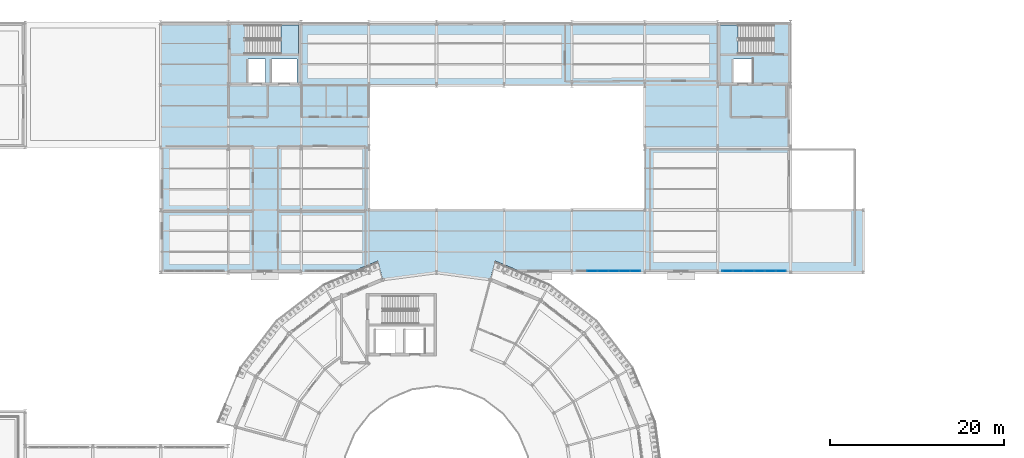
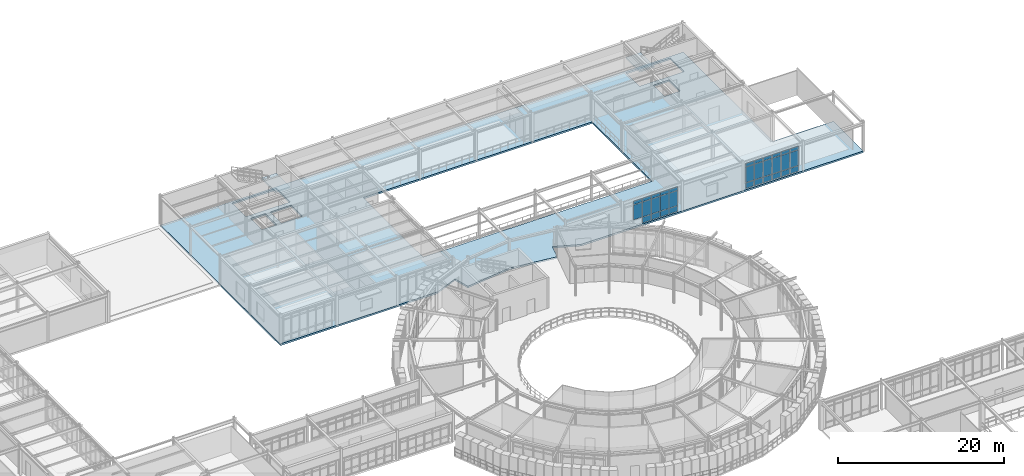
# One storey, part 75 of 106: 32 plates, 3 slabs, 4 elements without a shape of their own.
"""IFC4 building model written with IfcOpenShell, lengths in metres."""

from ifc_helpers import new_model, si_unit, derived_unit, direction, frame, origin, origin_2d, place, context, subcontext, project, spatial, polyline, rectangle, outline, extrude, material, layer, layer_set, type_object, element, aggregate, save


model = new_model("IFC4")

# Units and contexts
model_context = context("Model", 3, precision=1e-05, world=origin(), true_north=direction((0.0, 1.0)))
body_context = subcontext(model_context, "Body", "Model", "MODEL_VIEW")
ifc_project = project(units=[si_unit("LENGTHUNIT", "METRE"), si_unit("AREAUNIT", "SQUARE_METRE"), si_unit("VOLUMEUNIT", "CUBIC_METRE"), si_unit("PLANEANGLEUNIT", "RADIAN"), si_unit("MASSUNIT", "GRAM", prefix="KILO"), derived_unit("THERMALTRANSMITTANCEUNIT", [(si_unit("POWERUNIT", "WATT"), 1), (si_unit("AREAUNIT", "SQUARE_METRE"), -1), (si_unit("THERMODYNAMICTEMPERATUREUNIT", "KELVIN"), -1)])], contexts=[model_context])

# Site, building, storey
site_placement = place(None, origin())
site = spatial("IfcSite", under=ifc_project, at=site_placement, CompositionType="ELEMENT")
building_placement = place(site_placement, origin())
building = spatial("IfcBuilding", under=site, at=building_placement, Name="Yasenodar Specialist Clinic", CompositionType="ELEMENT")
storey_placement = place(building_placement, frame((0.0, 0.0, 4.5)))
storey = spatial("IfcBuildingStorey", under=building, at=storey_placement, Name="L01", CompositionType="ELEMENT", Elevation=4.5)

# Curtain wall, plates
ifc_material_1 = material(Name="Bronze Anodized Aluminium and Triple Low-E Glass", Category="aluminium")
ifc_layer_1 = layer(ifc_material_1, 0.215087890625)
ifc_layer_set_1 = layer_set([ifc_layer_1], Name="Bronze Anodized Aluminium and Triple Low-E Glass")
curtain_wall_type = type_object("IfcCurtainWallType", Name="CW-SYS-05", PredefinedType="USERDEFINED", material=ifc_layer_set_1)
curtain_wall_1_placement = place(storey_placement, origin())
curtain_wall_1 = element("IfcCurtainWall", 1, at=curtain_wall_1_placement, inside=storey, type_object=curtain_wall_type, Name="L01 Unitised Curtain Wall 150", ObjectType="UNITISED CURTAIN WALL", PredefinedType="USERDEFINED")
ifc_material_2 = material(Name="Triple Low-E Argon Glazing", Category="glass")
ifc_layer_2 = layer(ifc_material_2, 0.0400390625)
ifc_layer_set_2 = layer_set([ifc_layer_2], Name="Triple Low-E Argon Glazing")
plate_type_1 = type_object("IfcPlateType", Name="CW-PAN-3", PredefinedType="CURTAIN_PANEL", material=ifc_layer_set_2)
plate_1_placement = place(storey_placement, frame((120.68115234375, 82.969970703125, 0.074951171875), z_axis=(0.0, 0.0, 1.0), x_axis=(-1.0, 0.0, 0.0)))
plate_1 = element("IfcPlate", 2, at=plate_1_placement, type_object=plate_type_1, Name="CW-05 panel 1.1", PredefinedType="CURTAIN_PANEL", context=body_context, shape_type="SweptSolid", body=[
    extrude(rectangle(XDim=1.12744140625, YDim=0.0400390625, at=origin_2d()), origin(), (0.0, 0.0, 1.0), 0.78759765625),
])
plate_2_placement = place(storey_placement, frame((120.68115234375, 82.969970703125, 0.9375), z_axis=(0.0, 0.0, 1.0), x_axis=(-1.0, 0.0, 0.0)))
plate_2 = element("IfcPlate", 3, at=plate_2_placement, type_object=plate_type_1, Name="CW-05 panel 1.2", PredefinedType="CURTAIN_PANEL", context=body_context, shape_type="SweptSolid", body=[
    extrude(rectangle(XDim=1.12744140625, YDim=0.0400390625, at=origin_2d()), origin(), (0.0, 0.0, 1.0), 2.2529296875),
])
plate_3_placement = place(storey_placement, frame((120.68115234375, 82.969970703125, 3.265625), z_axis=(0.0, 0.0, 1.0), x_axis=(-1.0, 0.0, 0.0)))
plate_3 = element("IfcPlate", 4, at=plate_3_placement, type_object=plate_type_1, Name="CW-05 panel 1.3", PredefinedType="CURTAIN_PANEL", context=body_context, shape_type="SweptSolid", body=[
    extrude(rectangle(XDim=1.12744140625, YDim=0.0400390625, at=origin_2d()), origin(), (0.0, 0.0, 1.0), 0.487548828125),
])
plate_4_placement = place(storey_placement, frame((119.4599609375, 82.969970703125, 0.074951171875), z_axis=(0.0, 0.0, 1.0), x_axis=(-1.0, 0.0, 0.0)))
plate_4 = element("IfcPlate", 5, at=plate_4_placement, type_object=plate_type_1, Name="CW-05 panel 2.1", PredefinedType="CURTAIN_PANEL", context=body_context, shape_type="SweptSolid", body=[
    extrude(rectangle(XDim=1.1650390625, YDim=0.0400390625, at=origin_2d()), origin(), (0.0, 0.0, 1.0), 0.78759765625),
])
plate_5_placement = place(storey_placement, frame((119.4599609375, 82.969970703125, 0.9375), z_axis=(0.0, 0.0, 1.0), x_axis=(-1.0, 0.0, 0.0)))
plate_5 = element("IfcPlate", 6, at=plate_5_placement, type_object=plate_type_1, Name="CW-05 panel 2.2", PredefinedType="CURTAIN_PANEL", context=body_context, shape_type="SweptSolid", body=[
    extrude(rectangle(XDim=1.1650390625, YDim=0.0400390625, at=origin_2d()), origin(), (0.0, 0.0, 1.0), 2.2529296875),
])
plate_6_placement = place(storey_placement, frame((119.4599609375, 82.969970703125, 3.265625), z_axis=(0.0, 0.0, 1.0), x_axis=(-1.0, 0.0, 0.0)))
plate_6 = element("IfcPlate", 7, at=plate_6_placement, type_object=plate_type_1, Name="CW-05 panel 2.3", PredefinedType="CURTAIN_PANEL", context=body_context, shape_type="SweptSolid", body=[
    extrude(rectangle(XDim=1.1650390625, YDim=0.0400390625, at=origin_2d()), origin(), (0.0, 0.0, 1.0), 0.487548828125),
])
plate_7_placement = place(storey_placement, frame((118.219970703125, 82.969970703125, 0.074951171875), z_axis=(0.0, 0.0, 1.0), x_axis=(-1.0, 0.0, 0.0)))
plate_7 = element("IfcPlate", 8, at=plate_7_placement, type_object=plate_type_1, Name="CW-05 panel 3.1", PredefinedType="CURTAIN_PANEL", context=body_context, shape_type="SweptSolid", body=[
    extrude(rectangle(XDim=1.1650390625, YDim=0.0400390625, at=origin_2d()), origin(), (0.0, 0.0, 1.0), 0.78759765625),
])
plate_8_placement = place(storey_placement, frame((118.219970703125, 82.969970703125, 0.9375), z_axis=(0.0, 0.0, 1.0), x_axis=(-1.0, 0.0, 0.0)))
plate_8 = element("IfcPlate", 9, at=plate_8_placement, type_object=plate_type_1, Name="CW-05 panel 3.2", PredefinedType="CURTAIN_PANEL", context=body_context, shape_type="SweptSolid", body=[
    extrude(rectangle(XDim=1.1650390625, YDim=0.0400390625, at=origin_2d()), origin(), (0.0, 0.0, 1.0), 2.2529296875),
])
plate_9_placement = place(storey_placement, frame((118.219970703125, 82.969970703125, 3.265625), z_axis=(0.0, 0.0, 1.0), x_axis=(-1.0, 0.0, 0.0)))
plate_9 = element("IfcPlate", 10, at=plate_9_placement, type_object=plate_type_1, Name="CW-05 panel 3.3", PredefinedType="CURTAIN_PANEL", context=body_context, shape_type="SweptSolid", body=[
    extrude(rectangle(XDim=1.1650390625, YDim=0.0400390625, at=origin_2d()), origin(), (0.0, 0.0, 1.0), 0.487548828125),
])
plate_10_placement = place(storey_placement, frame((116.97998046875, 82.969970703125, 0.074951171875), z_axis=(0.0, 0.0, 1.0), x_axis=(-1.0, 0.0, 0.0)))
plate_10 = element("IfcPlate", 11, at=plate_10_placement, type_object=plate_type_1, Name="CW-05 panel 4.1", PredefinedType="CURTAIN_PANEL", context=body_context, shape_type="SweptSolid", body=[
    extrude(rectangle(XDim=1.1650390625, YDim=0.0400390625, at=origin_2d()), origin(), (0.0, 0.0, 1.0), 0.78759765625),
])
plate_11_placement = place(storey_placement, frame((116.97998046875, 82.969970703125, 0.9375), z_axis=(0.0, 0.0, 1.0), x_axis=(-1.0, 0.0, 0.0)))
plate_11 = element("IfcPlate", 12, at=plate_11_placement, type_object=plate_type_1, Name="CW-05 panel 4.2", PredefinedType="CURTAIN_PANEL", context=body_context, shape_type="SweptSolid", body=[
    extrude(rectangle(XDim=1.1650390625, YDim=0.0400390625, at=origin_2d()), origin(), (0.0, 0.0, 1.0), 2.2529296875),
])
plate_12_placement = place(storey_placement, frame((116.97998046875, 82.969970703125, 3.265625), z_axis=(0.0, 0.0, 1.0), x_axis=(-1.0, 0.0, 0.0)))
plate_12 = element("IfcPlate", 13, at=plate_12_placement, type_object=plate_type_1, Name="CW-05 panel 4.3", PredefinedType="CURTAIN_PANEL", context=body_context, shape_type="SweptSolid", body=[
    extrude(rectangle(XDim=1.1650390625, YDim=0.0400390625, at=origin_2d()), origin(), (0.0, 0.0, 1.0), 0.487548828125),
])
plate_13_placement = place(storey_placement, frame((115.739990234375, 82.969970703125, 0.074951171875), z_axis=(0.0, 0.0, 1.0), x_axis=(-1.0, 0.0, 0.0)))
plate_13 = element("IfcPlate", 14, at=plate_13_placement, type_object=plate_type_1, Name="CW-05 panel 5.1", PredefinedType="CURTAIN_PANEL", context=body_context, shape_type="SweptSolid", body=[
    extrude(rectangle(XDim=1.1650390625, YDim=0.0400390625, at=origin_2d()), origin(), (0.0, 0.0, 1.0), 0.78759765625),
])
plate_14_placement = place(storey_placement, frame((115.739990234375, 82.969970703125, 0.9375), z_axis=(0.0, 0.0, 1.0), x_axis=(-1.0, 0.0, 0.0)))
plate_14 = element("IfcPlate", 15, at=plate_14_placement, type_object=plate_type_1, Name="CW-05 panel 5.2", PredefinedType="CURTAIN_PANEL", context=body_context, shape_type="SweptSolid", body=[
    extrude(rectangle(XDim=1.1650390625, YDim=0.0400390625, at=origin_2d()), origin(), (0.0, 0.0, 1.0), 2.2529296875),
])
plate_15_placement = place(storey_placement, frame((115.739990234375, 82.969970703125, 3.265625), z_axis=(0.0, 0.0, 1.0), x_axis=(-1.0, 0.0, 0.0)))
plate_15 = element("IfcPlate", 16, at=plate_15_placement, type_object=plate_type_1, Name="CW-05 panel 5.3", PredefinedType="CURTAIN_PANEL", context=body_context, shape_type="SweptSolid", body=[
    extrude(rectangle(XDim=1.1650390625, YDim=0.0400390625, at=origin_2d()), origin(), (0.0, 0.0, 1.0), 0.487548828125),
])
plate_16_placement = place(storey_placement, frame((114.518798828125, 82.969970703125, 0.074951171875), z_axis=(0.0, 0.0, 1.0), x_axis=(-1.0, 0.0, 0.0)))
plate_16 = element("IfcPlate", 17, at=plate_16_placement, type_object=plate_type_1, Name="CW-05 panel 6.1", PredefinedType="CURTAIN_PANEL", context=body_context, shape_type="SweptSolid", body=[
    extrude(rectangle(XDim=1.12744140625, YDim=0.0400390625, at=origin_2d()), origin(), (0.0, 0.0, 1.0), 0.78759765625),
])
plate_17_placement = place(storey_placement, frame((114.518798828125, 82.969970703125, 0.9375), z_axis=(0.0, 0.0, 1.0), x_axis=(-1.0, 0.0, 0.0)))
plate_17 = element("IfcPlate", 18, at=plate_17_placement, type_object=plate_type_1, Name="CW-05 panel 6.2", PredefinedType="CURTAIN_PANEL", context=body_context, shape_type="SweptSolid", body=[
    extrude(rectangle(XDim=1.12744140625, YDim=0.0400390625, at=origin_2d()), origin(), (0.0, 0.0, 1.0), 2.2529296875),
])
plate_18_placement = place(storey_placement, frame((114.518798828125, 82.969970703125, 3.265625), z_axis=(0.0, 0.0, 1.0), x_axis=(-1.0, 0.0, 0.0)))
plate_18 = element("IfcPlate", 19, at=plate_18_placement, type_object=plate_type_1, Name="CW-05 panel 6.3", PredefinedType="CURTAIN_PANEL", context=body_context, shape_type="SweptSolid", body=[
    extrude(rectangle(XDim=1.12744140625, YDim=0.0400390625, at=origin_2d()), origin(), (0.0, 0.0, 1.0), 0.487548828125),
])
aggregate(curtain_wall_1, [plate_1, plate_2, plate_3, plate_4, plate_5, plate_6, plate_7, plate_8, plate_9, plate_10, plate_11, plate_12, plate_13, plate_14, plate_15, plate_16, plate_17, plate_18])

curtain_wall_2_placement = place(storey_placement, origin())
curtain_wall_2 = element("IfcCurtainWall", 20, at=curtain_wall_2_placement, inside=storey, type_object=curtain_wall_type, Name="L01 Unitised Curtain Wall 151", ObjectType="UNITISED CURTAIN WALL", PredefinedType="USERDEFINED")
ifc_layer_3 = layer(ifc_material_2, 0.0458984375)
ifc_layer_set_3 = layer_set([ifc_layer_3], Name="Triple Low-E Argon Glazing")
plate_type_2 = type_object("IfcPlateType", Name="CW-PAN-4", PredefinedType="CURTAIN_PANEL", material=ifc_layer_set_3)
plate_19_placement = place(storey_placement, frame((103.885009765625, 82.969970703125, 0.06005859375), z_axis=(0.0, 0.0, 1.0), x_axis=(-1.0, 0.0, 0.0)))
plate_19 = element("IfcPlate", 21, at=plate_19_placement, type_object=plate_type_2, Name="CW-05 panel 1.1", PredefinedType="CURTAIN_PANEL", context=body_context, shape_type="SweptSolid", body=[
    extrude(rectangle(XDim=1.14990234375, YDim=0.0458984375, at=origin_2d()), origin(), (0.0, 0.0, 1.0), 0.81005859375),
])
plate_20_placement = place(storey_placement, frame((103.885009765625, 82.969970703125, 0.929931640625), z_axis=(0.0, 0.0, 1.0), x_axis=(-1.0, 0.0, 0.0)))
plate_20 = element("IfcPlate", 22, at=plate_20_placement, type_object=plate_type_2, Name="CW-05 panel 1.2", PredefinedType="CURTAIN_PANEL", context=body_context, shape_type="SweptSolid", body=[
    extrude(rectangle(XDim=1.14990234375, YDim=0.0458984375, at=origin_2d()), origin(), (0.0, 0.0, 1.0), 2.16796875),
])
plate_21_placement = place(storey_placement, frame((103.885009765625, 82.969970703125, 3.158203125), z_axis=(0.0, 0.0, 1.0), x_axis=(-1.0, 0.0, 0.0)))
plate_21 = element("IfcPlate", 23, at=plate_21_placement, type_object=plate_type_2, Name="CW-05 panel 1.3", PredefinedType="CURTAIN_PANEL", context=body_context, shape_type="SweptSolid", body=[
    extrude(rectangle(XDim=1.14990234375, YDim=0.0458984375, at=origin_2d()), origin(), (0.0, 0.0, 1.0), 0.510009765625),
])
plate_22_placement = place(storey_placement, frame((102.659912109375, 82.969970703125, 0.06005859375), z_axis=(0.0, 0.0, 1.0), x_axis=(-1.0, 0.0, 0.0)))
plate_22 = element("IfcPlate", 24, at=plate_22_placement, type_object=plate_type_2, Name="CW-05 panel 2.1", PredefinedType="CURTAIN_PANEL", context=body_context, shape_type="SweptSolid", body=[
    extrude(rectangle(XDim=1.179931640625, YDim=0.0458984375, at=origin_2d()), origin(), (0.0, 0.0, 1.0), 0.81005859375),
])
plate_23_placement = place(storey_placement, frame((102.659912109375, 82.969970703125, 0.929931640625), z_axis=(0.0, 0.0, 1.0), x_axis=(-1.0, 0.0, 0.0)))
plate_23 = element("IfcPlate", 25, at=plate_23_placement, type_object=plate_type_2, Name="CW-05 panel 2.2", PredefinedType="CURTAIN_PANEL", context=body_context, shape_type="SweptSolid", body=[
    extrude(rectangle(XDim=1.179931640625, YDim=0.0458984375, at=origin_2d()), origin(), (0.0, 0.0, 1.0), 2.16796875),
])
plate_24_placement = place(storey_placement, frame((102.659912109375, 82.969970703125, 3.158203125), z_axis=(0.0, 0.0, 1.0), x_axis=(-1.0, 0.0, 0.0)))
plate_24 = element("IfcPlate", 26, at=plate_24_placement, type_object=plate_type_2, Name="CW-05 panel 2.3", PredefinedType="CURTAIN_PANEL", context=body_context, shape_type="SweptSolid", body=[
    extrude(rectangle(XDim=1.179931640625, YDim=0.0458984375, at=origin_2d()), origin(), (0.0, 0.0, 1.0), 0.510009765625),
])
plate_25_placement = place(storey_placement, frame((101.419921875, 82.969970703125, 0.06005859375), z_axis=(0.0, 0.0, 1.0), x_axis=(-1.0, 0.0, 0.0)))
plate_25 = element("IfcPlate", 27, at=plate_25_placement, type_object=plate_type_2, Name="CW-05 panel 3.1", PredefinedType="CURTAIN_PANEL", context=body_context, shape_type="SweptSolid", body=[
    extrude(rectangle(XDim=1.179931640625, YDim=0.0458984375, at=origin_2d()), origin(), (0.0, 0.0, 1.0), 0.81005859375),
])
plate_26_placement = place(storey_placement, frame((101.419921875, 82.969970703125, 0.929931640625), z_axis=(0.0, 0.0, 1.0), x_axis=(-1.0, 0.0, 0.0)))
plate_26 = element("IfcPlate", 28, at=plate_26_placement, type_object=plate_type_2, Name="CW-05 panel 3.2", PredefinedType="CURTAIN_PANEL", context=body_context, shape_type="SweptSolid", body=[
    extrude(rectangle(XDim=1.179931640625, YDim=0.0458984375, at=origin_2d()), origin(), (0.0, 0.0, 1.0), 2.16796875),
])
plate_27_placement = place(storey_placement, frame((101.419921875, 82.969970703125, 3.158203125), z_axis=(0.0, 0.0, 1.0), x_axis=(-1.0, 0.0, 0.0)))
plate_27 = element("IfcPlate", 29, at=plate_27_placement, type_object=plate_type_2, Name="CW-05 panel 3.3", PredefinedType="CURTAIN_PANEL", context=body_context, shape_type="SweptSolid", body=[
    extrude(rectangle(XDim=1.179931640625, YDim=0.0458984375, at=origin_2d()), origin(), (0.0, 0.0, 1.0), 0.510009765625),
])
plate_28_placement = place(storey_placement, frame((100.179931640625, 82.969970703125, 0.06005859375), z_axis=(0.0, 0.0, 1.0), x_axis=(-1.0, 0.0, 0.0)))
plate_28 = element("IfcPlate", 30, at=plate_28_placement, type_object=plate_type_2, Name="CW-05 panel 4.1", PredefinedType="CURTAIN_PANEL", context=body_context, shape_type="SweptSolid", body=[
    extrude(rectangle(XDim=1.179931640625, YDim=0.0458984375, at=origin_2d()), origin(), (0.0, 0.0, 1.0), 0.81005859375),
])
plate_29_placement = place(storey_placement, frame((100.179931640625, 82.969970703125, 0.929931640625), z_axis=(0.0, 0.0, 1.0), x_axis=(-1.0, 0.0, 0.0)))
plate_29 = element("IfcPlate", 31, at=plate_29_placement, type_object=plate_type_2, Name="CW-05 panel 4.2", PredefinedType="CURTAIN_PANEL", context=body_context, shape_type="SweptSolid", body=[
    extrude(rectangle(XDim=1.179931640625, YDim=0.0458984375, at=origin_2d()), origin(), (0.0, 0.0, 1.0), 2.16796875),
])
plate_30_placement = place(storey_placement, frame((100.179931640625, 82.969970703125, 3.158203125), z_axis=(0.0, 0.0, 1.0), x_axis=(-1.0, 0.0, 0.0)))
plate_30 = element("IfcPlate", 32, at=plate_30_placement, type_object=plate_type_2, Name="CW-05 panel 4.3", PredefinedType="CURTAIN_PANEL", context=body_context, shape_type="SweptSolid", body=[
    extrude(rectangle(XDim=1.179931640625, YDim=0.0458984375, at=origin_2d()), origin(), (0.0, 0.0, 1.0), 0.510009765625),
])
plate_31_placement = place(storey_placement, frame((98.93994140625, 82.969970703125, 0.929931640625), z_axis=(0.0, 0.0, 1.0), x_axis=(-1.0, 0.0, 0.0)))
plate_31 = element("IfcPlate", 33, at=plate_31_placement, type_object=plate_type_2, Name="CW-05 panel 5.2", PredefinedType="CURTAIN_PANEL", context=body_context, shape_type="SweptSolid", body=[
    extrude(rectangle(XDim=1.179931640625, YDim=0.0458984375, at=origin_2d()), origin(), (0.0, 0.0, 1.0), 2.16796875),
])
plate_32_placement = place(storey_placement, frame((98.93994140625, 82.969970703125, 3.158203125), z_axis=(0.0, 0.0, 1.0), x_axis=(-1.0, 0.0, 0.0)))
plate_32 = element("IfcPlate", 34, at=plate_32_placement, type_object=plate_type_2, Name="CW-05 panel 5.3", PredefinedType="CURTAIN_PANEL", context=body_context, shape_type="SweptSolid", body=[
    extrude(rectangle(XDim=1.179931640625, YDim=0.0458984375, at=origin_2d()), origin(), (0.0, 0.0, 1.0), 0.510009765625),
])
aggregate(curtain_wall_2, [plate_19, plate_20, plate_21, plate_22, plate_23, plate_24, plate_25, plate_26, plate_27, plate_28, plate_29, plate_30, plate_31, plate_32])

# Slab
ifc_material_3 = material(Name="Concrete C30/37", Category="concrete")
ifc_layer_4 = layer(ifc_material_3, 0.25)
ifc_layer_set_4 = layer_set([ifc_layer_4], Name="Concrete C30/37")
slab_type_1 = type_object("IfcSlabType", Name="SLB-FLR-250", PredefinedType="FLOOR", material=ifc_layer_set_4)
slab_1_placement = place(storey_placement, frame((0.0, 0.0, -0.25)))
element("IfcSlab", 35, at=slab_1_placement, inside=storey, type_object=slab_type_1, Name="L01 V5 structural slab", PredefinedType="FLOOR", context=body_context, shape_type="SweptSolid", body=[
    extrude(outline(polyline([(49.199951171875, 82.800048828125), (49.199951171875, 111.60009765625), (121.800048828125, 111.60009765625), (121.800048828125, 90.0), (130.199951171875, 90.0), (130.199951171875, 82.800048828125), (90.976318359375, 82.800048828125), (87.77099609375, 84.127685546875), (87.20068359375, 81.998779296875), (81.0, 82.815185546875), (74.79931640625, 81.998779296875), (74.22900390625, 84.127685546875), (71.023681640625, 82.800048828125), (49.199951171875, 82.800048828125)]), holes=[polyline([(65.1201171875, 108.010009765625), (65.1201171875, 111.31005859375), (58.9599609375, 111.31005859375), (58.9599609375, 108.010009765625), (65.1201171875, 108.010009765625)]), polyline([(119.840087890625, 108.010009765625), (119.840087890625, 111.31005859375), (113.679931640625, 111.31005859375), (113.679931640625, 108.010009765625), (119.840087890625, 108.010009765625)]), polyline([(61.300048828125, 104.699951171875), (61.300048828125, 107.39990234375), (59.300048828125, 107.39990234375), (59.300048828125, 104.699951171875), (61.300048828125, 104.699951171875)]), polyline([(64.89990234375, 104.699951171875), (64.89990234375, 107.39990234375), (62.0, 107.39990234375), (62.0, 104.699951171875), (64.89990234375, 104.699951171875)]), polyline([(117.39990234375, 104.699951171875), (117.39990234375, 107.39990234375), (115.199951171875, 107.39990234375), (115.199951171875, 104.699951171875), (117.39990234375, 104.699951171875)]), polyline([(105.0, 90.0), (105.0, 104.39990234375), (73.199951171875, 104.39990234375), (73.199951171875, 90.0), (105.0, 90.0)])]), origin(), (0.0, 0.0, 1.0), 0.25),
])

# Stair, slab
stair_type = type_object("IfcStairType", Name="ST-DOG-C4-30", PredefinedType="HALF_TURN_STAIR", material=ifc_material_3)
stair_1_placement = place(storey_placement, origin())
stair_1 = element("IfcStair", 36, at=stair_1_placement, inside=storey, type_object=stair_type, Name="L01 Core C4 Exit Stair ST-04", PredefinedType="HALF_TURN_STAIR")
ifc_layer_5 = layer(ifc_material_3, 0.199951171875)
ifc_layer_set_5 = layer_set([ifc_layer_5], Name="Concrete C30/37")
slab_type_2 = type_object("IfcSlabType", Name="SLB-LND-200", PredefinedType="LANDING", material=ifc_layer_set_5)
slab_2_placement = place(storey_placement, frame((0.0, 0.0, 2.050048828125)))
slab_2 = element("IfcSlab", 37, at=slab_2_placement, type_object=slab_type_2, Name="ST-04 landing 1", PredefinedType="LANDING", context=body_context, shape_type="SweptSolid", body=[
    extrude(outline(polyline([(63.070068359375, 108.010009765625), (65.1201171875, 108.010009765625), (65.1201171875, 111.31005859375), (63.070068359375, 111.31005859375), (63.070068359375, 108.010009765625)])), origin(), (0.0, 0.0, 1.0), 0.199951171875),
])
aggregate(stair_1, [slab_2])

stair_2_placement = place(storey_placement, origin())
stair_2 = element("IfcStair", 38, at=stair_2_placement, inside=storey, type_object=stair_type, Name="L01 Core C5 Exit Stair ST-05", PredefinedType="HALF_TURN_STAIR")
slab_3_placement = place(storey_placement, frame((0.0, 0.0, 2.050048828125)))
slab_3 = element("IfcSlab", 39, at=slab_3_placement, type_object=slab_type_2, Name="ST-05 landing 1", PredefinedType="LANDING", context=body_context, shape_type="SweptSolid", body=[
    extrude(outline(polyline([(115.72998046875, 111.31005859375), (113.679931640625, 111.31005859375), (113.679931640625, 108.010009765625), (115.72998046875, 108.010009765625), (115.72998046875, 111.31005859375)])), origin(), (0.0, 0.0, 1.0), 0.199951171875),
])
aggregate(stair_2, [slab_3])

save(model, "model.ifc")
